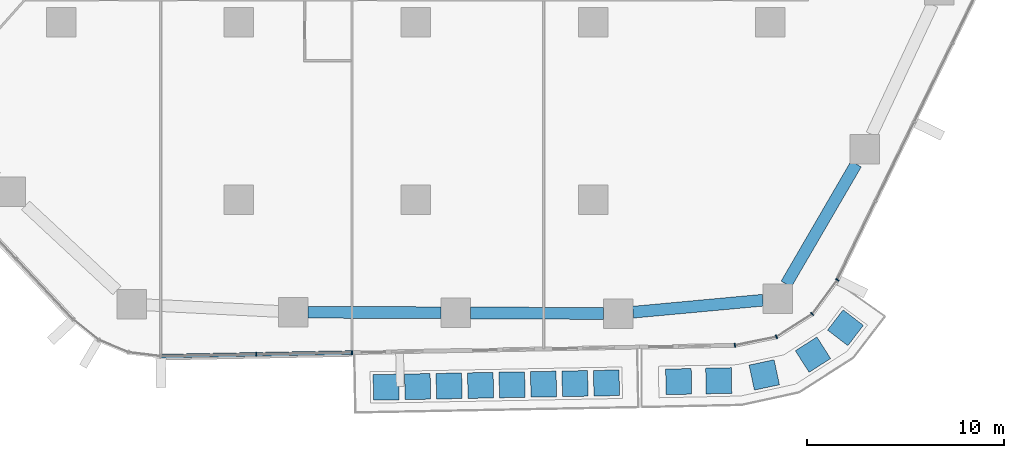
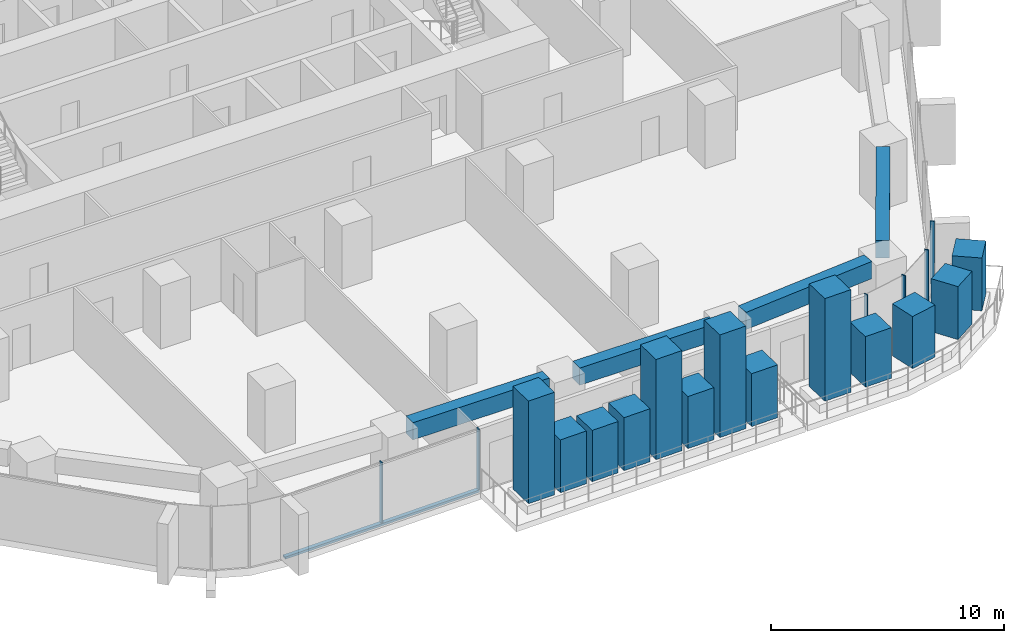
# One storey, part 4 of 25: 20 members, 4 beams, 2 elements without a shape of their own.
"""IFC4 building model written with IfcOpenShell, lengths in metres."""

from ifc_helpers import new_model, si_unit, direction, frame, origin, origin_2d, place, context, subcontext, project, spatial, rectangle, extrude, material, layer, layer_set, material_profile, profile_set, type_object, element, aggregate, save


model = new_model("IFC4")

# Units and contexts
model_context = context("Model", 3, precision=1e-05, world=origin(), true_north=direction((0.0, 1.0)))
body_context = subcontext(model_context, "Body", "Model", "MODEL_VIEW")
ifc_project = project(units=[si_unit("LENGTHUNIT", "METRE"), si_unit("AREAUNIT", "SQUARE_METRE"), si_unit("VOLUMEUNIT", "CUBIC_METRE"), si_unit("PLANEANGLEUNIT", "RADIAN"), si_unit("MASSUNIT", "GRAM", prefix="KILO")], contexts=[model_context])

# Site, building, storey
site_placement = place(None, origin())
site = spatial("IfcSite", under=ifc_project, at=site_placement, CompositionType="ELEMENT")
building_placement = place(site_placement, origin())
building = spatial("IfcBuilding", under=site, at=building_placement, Name="Dongbaek Canopy Tower", CompositionType="ELEMENT")
storey_placement = place(building_placement, frame((0.0, 0.0, 81.0)))
storey = spatial("IfcBuildingStorey", under=building, at=storey_placement, Name="L16", CompositionType="ELEMENT", Elevation=81.0)

# Curtain wall, members
ifc_material_1 = material(Name="Aluminium 6063-T6 pale anodised", Category="aluminium")
ifc_layer = layer(ifc_material_1, 0.199951171875)
ifc_layer_set = layer_set([ifc_layer], Name="CW-1 unitised tower curtain wall")
curtain_wall_type = type_object("IfcCurtainWallType", Name="CW-1 unitised tower curtain wall", PredefinedType="NOTDEFINED", material=ifc_layer_set)
curtain_wall_1_placement = place(storey_placement, origin())
curtain_wall_1 = element("IfcCurtainWall", 1, at=curtain_wall_1_placement, inside=storey, type_object=curtain_wall_type, Name="CW-1 curtain wall F4.1", PredefinedType="NOTDEFINED")
ifc_material_2 = material(Name="Aluminium 6063-T6 pale anodised", Category="aluminium")
ifc_material_profile_1 = material_profile(ifc_material_2, rectangle(XDim=0.199951171875, YDim=0.06005859375, at=origin_2d()), Name="CW-1 mullion 60 x 200")
ifc_profile_set_1 = profile_set([ifc_material_profile_1], Name="Aluminium 6063-T6 pale anodised")
member_type_1 = type_object("IfcMemberType", Name="CW-1 mullion 60 x 200", PredefinedType="MULLION", material=ifc_profile_set_1)
member_1_placement = place(storey_placement, frame((-8.10791015625, -34.86376953125, 0.1201171875), z_axis=(0.0, 0.0, 1.0), x_axis=(0.018951731053, -0.999820399817, 0.0)))
member_1 = element("IfcMember", 2, at=member_1_placement, type_object=member_type_1, Name="CW-1 mullion F4.1.2", PredefinedType="MULLION", context=body_context, shape_type="SweptSolid", body=[
    extrude(rectangle(XDim=0.199951171875, YDim=0.06005859375, at=origin_2d()), origin(), (0.0, 0.0, 1.0), 3.179931640625),
])
member_2_placement = place(storey_placement, frame((-3.2451171875, -34.771484375, 0.1201171875), z_axis=(0.0, 0.0, 1.0), x_axis=(0.018951731053, -0.999820399817, 0.0)))
member_2 = element("IfcMember", 3, at=member_2_placement, type_object=member_type_1, Name="CW-1 mullion F4.1.3", PredefinedType="MULLION", context=body_context, shape_type="SweptSolid", body=[
    extrude(rectangle(XDim=0.199951171875, YDim=0.06005859375, at=origin_2d()), origin(), (0.0, 0.0, 1.0), 3.179931640625),
])

curtain_wall_2_placement = place(storey_placement, origin())
curtain_wall_2 = element("IfcCurtainWall", 4, at=curtain_wall_2_placement, inside=storey, type_object=curtain_wall_type, Name="CW-1 curtain wall K5.1", PredefinedType="NOTDEFINED")
member_3_placement = place(storey_placement, frame((16.196044921875, -34.403076171875, 0.0), z_axis=(0.0, 0.0, 1.0), x_axis=(0.200703548559, -0.979652022708, 0.0)))
member_3 = element("IfcMember", 5, at=member_3_placement, type_object=member_type_1, Name="CW-1 mullion K5.1.1", PredefinedType="MULLION", context=body_context, shape_type="SweptSolid", body=[
    extrude(rectangle(XDim=0.199951171875, YDim=0.06005859375, at=origin_2d()), origin(), (0.0, 0.0, 1.0), 3.300048828125),
])
member_4_placement = place(storey_placement, frame((18.309814453125, -33.969970703125, 0.0), z_axis=(0.0, 0.0, 1.0), x_axis=(0.375743741739, -0.926723605259, 0.0)))
member_4 = element("IfcMember", 6, at=member_4_placement, type_object=member_type_1, Name="CW-1 mullion K5.1.2", PredefinedType="MULLION", context=body_context, shape_type="SweptSolid", body=[
    extrude(rectangle(XDim=0.199951171875, YDim=0.06005859375, at=origin_2d()), origin(), (0.0, 0.0, 1.0), 3.300048828125),
])
member_5_placement = place(storey_placement, frame((20.120361328125, -32.813720703125, 0.0), z_axis=(0.0, 0.0, 1.0), x_axis=(0.682695719698, -0.730702781099, 0.0)))
member_5 = element("IfcMember", 7, at=member_5_placement, type_object=member_type_1, Name="CW-1 mullion K5.1.3", PredefinedType="MULLION", context=body_context, shape_type="SweptSolid", body=[
    extrude(rectangle(XDim=0.199951171875, YDim=0.06005859375, at=origin_2d()), origin(), (0.0, 0.0, 1.0), 3.300048828125),
])
member_6_placement = place(storey_placement, frame((21.402099609375, -31.078369140625, 0.0), z_axis=(0.0, 0.0, 1.0), x_axis=(0.804342880955, -0.594165406142, 0.0)))
member_6 = element("IfcMember", 8, at=member_6_placement, type_object=member_type_1, Name="CW-1 mullion K5.1.4", PredefinedType="MULLION", context=body_context, shape_type="SweptSolid", body=[
    extrude(rectangle(XDim=0.199951171875, YDim=0.06005859375, at=origin_2d()), origin(), (0.0, 0.0, 1.0), 3.300048828125),
])
aggregate(curtain_wall_2, [member_3, member_4, member_5, member_6])

# Member
ifc_material_3 = material(Name="Aluminium 6063-T6 pale anodised", Category="aluminium")
ifc_material_profile_2 = material_profile(ifc_material_3, rectangle(XDim=0.199951171875, YDim=0.1201171875, at=origin_2d()), Name="CW-1 transom 120 x 200")
ifc_profile_set_2 = profile_set([ifc_material_profile_2], Name="Aluminium 6063-T6 pale anodised")
member_type_2 = type_object("IfcMemberType", Name="CW-1 transom 120 x 200", PredefinedType="USERDEFINED", material=ifc_profile_set_2)
member_7_placement = place(storey_placement, frame((-12.963623046875, -34.955810546875, 0.06005859375), z_axis=(0.999820184196, 0.018963102948, 0.0), x_axis=(-0.018963102948, 0.999820184196, 0.0)))
member_7 = element("IfcMember", 9, at=member_7_placement, type_object=member_type_2, Name="CW-1 transom F4.1.1", ObjectType="TRANSOM", PredefinedType="USERDEFINED", context=body_context, shape_type="SweptSolid", body=[
    extrude(rectangle(XDim=0.199951171875, YDim=0.1201171875, at=origin_2d()), origin(), (0.0, 0.0, 1.0), 9.72021484375),
])

aggregate(curtain_wall_1, [member_1, member_2, member_7])

# Beams
ifc_material_4 = material(Name="Concrete C80", Category="concrete")
ifc_material_profile_3 = material_profile(ifc_material_4, rectangle(XDim=0.60009765625, YDim=0.89990234375, at=origin_2d()), Name="RC EDGE BEAM 600x900 C80")
ifc_profile_set_3 = profile_set([ifc_material_profile_3], Name="Concrete C80")
beam_type = type_object("IfcBeamType", Name="RC EDGE BEAM 600x900 C80", PredefinedType="BEAM", material=ifc_profile_set_3)
beam_1_placement = place(storey_placement, frame((17.617919921875, -32.1123046875, 2.85009765625), z_axis=(-0.995766471257, -0.091919174929, 0.0), x_axis=(0.091919174929, -0.995766471257, 0.0)))
element("IfcBeam", 10, at=beam_1_placement, inside=storey, type_object=beam_type, Name="EDGEBEAM:L16:00", PredefinedType="BEAM", context=body_context, shape_type="SweptSolid", body=[
    extrude(rectangle(XDim=0.60009765625, YDim=0.89990234375, at=origin_2d()), origin(), (0.0, 0.0, 1.0), 6.618896484375),
])
beam_2_placement = place(storey_placement, frame((9.527099609375, -32.78662109375, 2.85009765625), z_axis=(-0.999989942747, 0.004484908597, 0.0), x_axis=(-0.004484908597, -0.999989942747, 0.0)))
element("IfcBeam", 11, at=beam_2_placement, inside=storey, type_object=beam_type, Name="EDGEBEAM:L16:01", PredefinedType="BEAM", context=body_context, shape_type="SweptSolid", body=[
    extrude(rectangle(XDim=0.60009765625, YDim=0.89990234375, at=origin_2d()), origin(), (0.0, 0.0, 1.0), 6.75),
])
beam_3_placement = place(storey_placement, frame((1.277099609375, -32.749755859375, 2.85009765625), z_axis=(-0.999990420723, 0.004377038088, 0.0), x_axis=(-0.004377038088, -0.999990420723, 0.0)))
element("IfcBeam", 12, at=beam_3_placement, inside=storey, type_object=beam_type, Name="EDGEBEAM:L16:02", PredefinedType="BEAM", context=body_context, shape_type="SweptSolid", body=[
    extrude(rectangle(XDim=0.60009765625, YDim=0.89990234375, at=origin_2d()), origin(), (0.0, 0.0, 1.0), 6.7490234375),
])
beam_4_placement = place(storey_placement, frame((22.35546875, -25.193115234375, 2.85009765625), z_axis=(-0.503081510817, -0.864238967806, 0.0), x_axis=(0.864238967806, -0.503081510817, 0.0)))
element("IfcBeam", 13, at=beam_4_placement, inside=storey, type_object=beam_type, Name="EDGEBEAM:L16:25", PredefinedType="BEAM", context=body_context, shape_type="SweptSolid", body=[
    extrude(rectangle(XDim=0.60009765625, YDim=0.89990234375, at=origin_2d()), origin(), (0.0, 0.0, 1.0), 7.05810546875),
])

# Members
ifc_material_5 = material(Name="Concrete C40/50 planter mass with planting", Category="concrete")
ifc_material_profile_4 = material_profile(ifc_material_5, rectangle(XDim=1.300048828125, YDim=1.300048828125, at=origin_2d()), Name="Terrace PLANTER shrub mass 1300 x 1300")
ifc_profile_set_4 = profile_set([ifc_material_profile_4], Name="Concrete C40/50 planter mass with planting")
member_type_3 = type_object("IfcMemberType", Name="Terrace PLANTER shrub mass 1300 x 1300", PredefinedType="USERDEFINED", material=ifc_profile_set_4)
member_8_placement = place(storey_placement, frame((-1.51220703125, -36.529052734375, 0.419921875), z_axis=(0.0, 0.0, 1.0), x_axis=(0.018951731053, -0.999820399817, 0.0)))
element("IfcMember", 14, at=member_8_placement, inside=storey, type_object=member_type_3, Name="Planter tree L16 4.1", ObjectType="PLANTER", PredefinedType="USERDEFINED", context=body_context, shape_type="SweptSolid", body=[
    extrude(rectangle(XDim=1.300048828125, YDim=1.300048828125, at=origin_2d()), origin(), (0.0, 0.0, 1.0), 5.380126953125),
])
member_9_placement = place(storey_placement, frame((0.08642578125, -36.498779296875, 0.419921875), z_axis=(0.0, 0.0, 1.0), x_axis=(0.018951731053, -0.999820399817, 0.0)))
element("IfcMember", 15, at=member_9_placement, inside=storey, type_object=member_type_3, Name="Planter shrubs L16 4.2", ObjectType="PLANTER", PredefinedType="USERDEFINED", context=body_context, shape_type="SweptSolid", body=[
    extrude(rectangle(XDim=1.300048828125, YDim=1.300048828125, at=origin_2d()), origin(), (0.0, 0.0, 1.0), 2.77001953125),
])
member_10_placement = place(storey_placement, frame((1.684814453125, -36.46826171875, 0.419921875), z_axis=(0.0, 0.0, 1.0), x_axis=(0.018951731053, -0.999820399817, 0.0)))
element("IfcMember", 16, at=member_10_placement, inside=storey, type_object=member_type_3, Name="Planter shrubs L16 4.3", ObjectType="PLANTER", PredefinedType="USERDEFINED", context=body_context, shape_type="SweptSolid", body=[
    extrude(rectangle(XDim=1.300048828125, YDim=1.300048828125, at=origin_2d()), origin(), (0.0, 0.0, 1.0), 2.690185546875),
])
member_11_placement = place(storey_placement, frame((3.283447265625, -36.43798828125, 0.419921875), z_axis=(0.0, 0.0, 1.0), x_axis=(0.018951731053, -0.999820399817, 0.0)))
element("IfcMember", 17, at=member_11_placement, inside=storey, type_object=member_type_3, Name="Planter shrubs L16 4.4", ObjectType="PLANTER", PredefinedType="USERDEFINED", context=body_context, shape_type="SweptSolid", body=[
    extrude(rectangle(XDim=1.300048828125, YDim=1.300048828125, at=origin_2d()), origin(), (0.0, 0.0, 1.0), 2.780029296875),
])
member_12_placement = place(storey_placement, frame((4.8818359375, -36.40771484375, 0.419921875), z_axis=(0.0, 0.0, 1.0), x_axis=(0.018951731053, -0.999820399817, 0.0)))
element("IfcMember", 18, at=member_12_placement, inside=storey, type_object=member_type_3, Name="Planter tree L16 4.5", ObjectType="PLANTER", PredefinedType="USERDEFINED", context=body_context, shape_type="SweptSolid", body=[
    extrude(rectangle(XDim=1.300048828125, YDim=1.300048828125, at=origin_2d()), origin(), (0.0, 0.0, 1.0), 5.25),
])
member_13_placement = place(storey_placement, frame((6.48046875, -36.37744140625, 0.419921875), z_axis=(0.0, 0.0, 1.0), x_axis=(0.018951731053, -0.999820399817, 0.0)))
element("IfcMember", 19, at=member_13_placement, inside=storey, type_object=member_type_3, Name="Planter shrubs L16 4.6", ObjectType="PLANTER", PredefinedType="USERDEFINED", context=body_context, shape_type="SweptSolid", body=[
    extrude(rectangle(XDim=1.300048828125, YDim=1.300048828125, at=origin_2d()), origin(), (0.0, 0.0, 1.0), 2.72998046875),
])
member_14_placement = place(storey_placement, frame((8.0791015625, -36.34716796875, 0.419921875), z_axis=(0.0, 0.0, 1.0), x_axis=(0.018951731053, -0.999820399817, 0.0)))
element("IfcMember", 20, at=member_14_placement, inside=storey, type_object=member_type_3, Name="Planter tree L16 4.7", ObjectType="PLANTER", PredefinedType="USERDEFINED", context=body_context, shape_type="SweptSolid", body=[
    extrude(rectangle(XDim=1.300048828125, YDim=1.300048828125, at=origin_2d()), origin(), (0.0, 0.0, 1.0), 5.380126953125),
])
member_15_placement = place(storey_placement, frame((9.677490234375, -36.31689453125, 0.419921875), z_axis=(0.0, 0.0, 1.0), x_axis=(0.018951731053, -0.999820399817, 0.0)))
element("IfcMember", 21, at=member_15_placement, inside=storey, type_object=member_type_3, Name="Planter shrubs L16 4.8", ObjectType="PLANTER", PredefinedType="USERDEFINED", context=body_context, shape_type="SweptSolid", body=[
    extrude(rectangle(XDim=1.300048828125, YDim=1.300048828125, at=origin_2d()), origin(), (0.0, 0.0, 1.0), 2.77001953125),
])
member_16_placement = place(storey_placement, frame((13.34326171875, -36.24560546875, 0.419921875), z_axis=(0.0, 0.0, 1.0), x_axis=(0.020691571655, -0.999785906513, 0.0)))
element("IfcMember", 22, at=member_16_placement, inside=storey, type_object=member_type_3, Name="Planter tree L16 7.1", ObjectType="PLANTER", PredefinedType="USERDEFINED", context=body_context, shape_type="SweptSolid", body=[
    extrude(rectangle(XDim=1.300048828125, YDim=1.300048828125, at=origin_2d()), origin(), (0.0, 0.0, 1.0), 5.380126953125),
])
member_17_placement = place(storey_placement, frame((15.376708984375, -36.20361328125, 0.419921875), z_axis=(0.0, 0.0, 1.0), x_axis=(0.020691571655, -0.999785906513, 0.0)))
element("IfcMember", 23, at=member_17_placement, inside=storey, type_object=member_type_3, Name="Planter shrubs L16 7.2", ObjectType="PLANTER", PredefinedType="USERDEFINED", context=body_context, shape_type="SweptSolid", body=[
    extrude(rectangle(XDim=1.300048828125, YDim=1.300048828125, at=origin_2d()), origin(), (0.0, 0.0, 1.0), 2.650146484375),
])
member_18_placement = place(storey_placement, frame((17.688232421875, -35.906494140625, 0.419921875), z_axis=(0.0, 0.0, 1.0), x_axis=(0.2085334094, -0.97801524383, 0.0)))
element("IfcMember", 24, at=member_18_placement, inside=storey, type_object=member_type_3, Name="Planter shrubs L16 7.3", ObjectType="PLANTER", PredefinedType="USERDEFINED", context=body_context, shape_type="SweptSolid", body=[
    extrude(rectangle(XDim=1.300048828125, YDim=1.300048828125, at=origin_2d()), origin(), (0.0, 0.0, 1.0), 2.72998046875),
])
member_19_placement = place(storey_placement, frame((20.163330078125, -34.876708984375, 0.419921875), z_axis=(0.0, 0.0, 1.0), x_axis=(0.538218881372, -0.842805099495, 0.0)))
element("IfcMember", 25, at=member_19_placement, inside=storey, type_object=member_type_3, Name="Planter shrubs L16 7.4", ObjectType="PLANTER", PredefinedType="USERDEFINED", context=body_context, shape_type="SweptSolid", body=[
    extrude(rectangle(XDim=1.300048828125, YDim=1.300048828125, at=origin_2d()), origin(), (0.0, 0.0, 1.0), 2.780029296875),
])
member_20_placement = place(storey_placement, frame((21.813232421875, -33.5107421875, 0.419921875), z_axis=(0.0, 0.0, 1.0), x_axis=(0.793328583904, -0.608793690802, 0.0)))
element("IfcMember", 26, at=member_20_placement, inside=storey, type_object=member_type_3, Name="Planter shrubs L16 7.5", ObjectType="PLANTER", PredefinedType="USERDEFINED", context=body_context, shape_type="SweptSolid", body=[
    extrude(rectangle(XDim=1.300048828125, YDim=1.300048828125, at=origin_2d()), origin(), (0.0, 0.0, 1.0), 2.77001953125),
])

save(model, "model.ifc")
